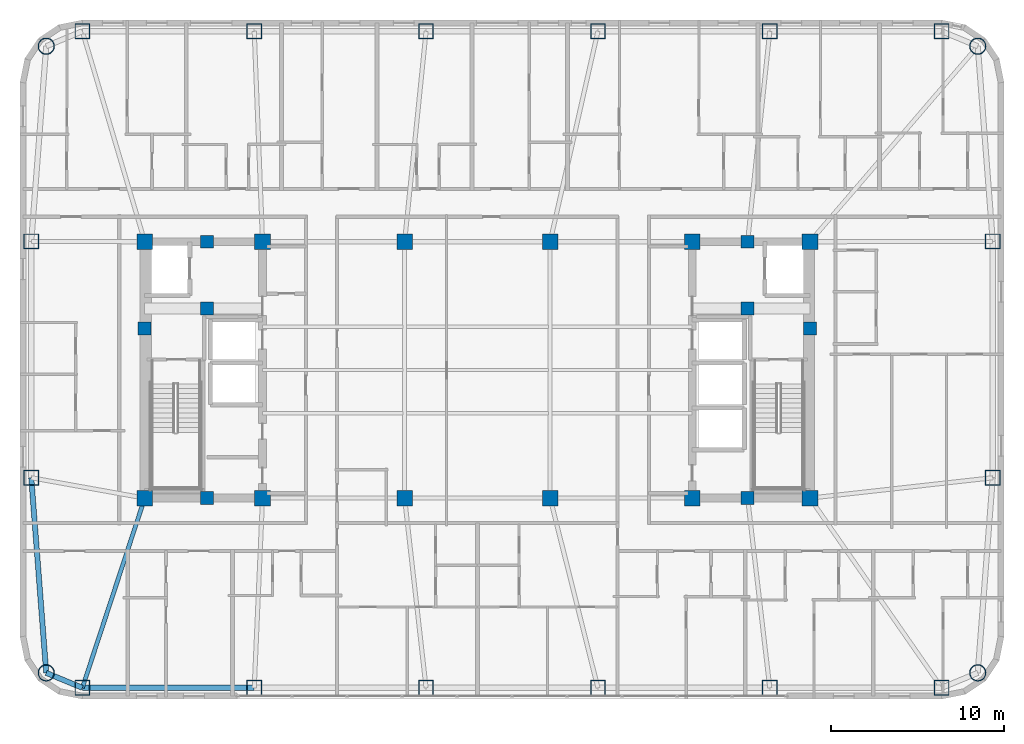
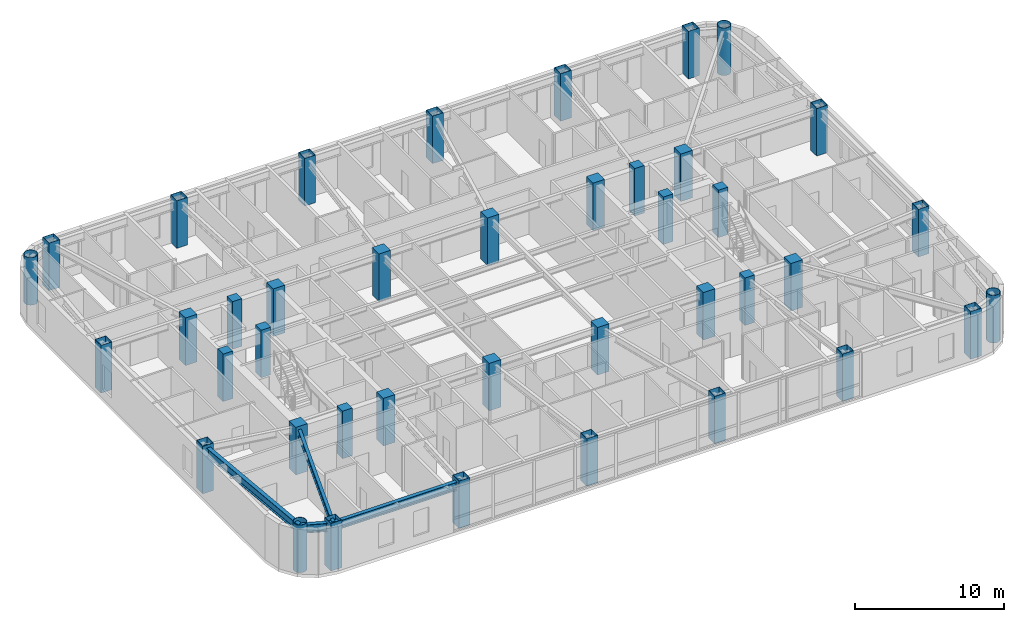
# One storey, part 1 of 17: 40 columns, 4 beams.
"""IFC4 building model written with IfcOpenShell, lengths in metres."""

from ifc_helpers import new_model, si_unit, direction, frame, origin, origin_2d, place, context, subcontext, project, spatial, rectangle, hollow_rectangle, hollow_circle, i_section, extrude, material, material_profile, profile_set, type_object, element, save


model = new_model("IFC4")

# Units and contexts
model_context = context("Model", 3, precision=1e-05, world=origin(), true_north=direction((0.0, 1.0)))
body_context = subcontext(model_context, "Body", "Model", "MODEL_VIEW")
ifc_project = project(units=[si_unit("LENGTHUNIT", "METRE"), si_unit("AREAUNIT", "SQUARE_METRE"), si_unit("VOLUMEUNIT", "CUBIC_METRE"), si_unit("PLANEANGLEUNIT", "RADIAN"), si_unit("MASSUNIT", "GRAM", prefix="KILO")], contexts=[model_context])

# Site, building, storey
site_placement = place(None, origin())
site = spatial("IfcSite", under=ifc_project, at=site_placement, CompositionType="ELEMENT")
building_placement = place(site_placement, origin())
building = spatial("IfcBuilding", under=site, at=building_placement, Name="Voryun Gate Residences", CompositionType="ELEMENT")
storey_placement = place(building_placement, frame((0.0, 0.0, 204.10009765625)))
storey = spatial("IfcBuildingStorey", under=building, at=storey_placement, Name="L50", CompositionType="ELEMENT", Elevation=204.10009765625)

# Columns
ifc_material_1 = material(Name="Concrete C50/60", Category="concrete")
ifc_material_profile_1 = material_profile(ifc_material_1, rectangle(XDim=0.75, YDim=0.75, at=origin_2d()), Name="RC-750x750")
ifc_profile_set_1 = profile_set([ifc_material_profile_1], Name="Concrete C50/60")
column_type_1 = type_object("IfcColumnType", Name="COL_CORE_750", PredefinedType="COLUMN", material=ifc_profile_set_1)
for number, where, z_axis, x_axis, name in (
    (1, (-19.199951171875, 2.39990234375, 0.0), (0.0, 0.0, 1.0), (1.0, 0.0, 0.0), "L50 Core boundary column WC-MW"),
    (2, (-15.60009765625, -7.39990234375, 0.0), (0.0, 0.0, 1.0), (1.0, 0.0, 0.0), "L50 Core boundary column WC-SM"),
    (3, (-15.60009765625, 7.39990234375, 0.0), (0.0, 0.0, 1.0), (1.0, 0.0, 0.0), "L50 Core boundary column WC-NM"),
    (4, (-15.60009765625, 3.550048828125, 0.0), (0.0, 0.0, 1.0), (1.0, 0.0, 0.0), "L50 Core boundary column WC-MM"),
    (5, (15.60009765625, 3.550048828125, 0.0), (0.0, 0.0, 1.0), (1.0, 0.0, 0.0), "L50 Core boundary column EC-MM"),
    (6, (15.60009765625, -7.39990234375, 0.0), (0.0, 0.0, 1.0), (1.0, 0.0, 0.0), "L50 Core boundary column EC-SM"),
    (7, (15.60009765625, 7.39990234375, 0.0), (0.0, 0.0, 1.0), (1.0, 0.0, 0.0), "L50 Core boundary column EC-NM"),
    (8, (19.199951171875, 2.39990234375, 0.0), (0.0, 0.0, 1.0), (1.0, 0.0, 0.0), "L50 Core boundary column EC-ME"),
):
    element("IfcColumn", number, at=place(storey_placement, frame(where, z_axis=z_axis, x_axis=x_axis)), inside=storey, type_object=column_type_1, Name=name, PredefinedType="COLUMN", context=body_context, shape_type="SweptSolid", body=[
        extrude(rectangle(XDim=0.75, YDim=0.75, at=origin_2d()), origin(), (0.0, 0.0, 1.0), 3.89990234375),
    ])
ifc_material_2 = material(Name="Concrete C50/60", Category="concrete")
ifc_material_profile_2 = material_profile(ifc_material_2, rectangle(XDim=0.89990234375, YDim=0.89990234375, at=origin_2d()), Name="RC-900x900")
ifc_profile_set_2 = profile_set([ifc_material_profile_2], Name="Concrete C50/60")
column_type_2 = type_object("IfcColumnType", Name="COL_CORE_900", PredefinedType="COLUMN", material=ifc_profile_set_2)
for number, where, z_axis, x_axis, name in (
    (9, (-19.199951171875, -7.39990234375, 0.0), (0.0, 0.0, 1.0), (1.0, 0.0, 0.0), "L50 Core boundary column WC-SW"),
    (10, (-19.199951171875, 7.39990234375, 0.0), (0.0, 0.0, 1.0), (1.0, 0.0, 0.0), "L50 Core boundary column WC-NW"),
    (11, (-12.39990234375, -7.39990234375, 0.0), (0.0, 0.0, 1.0), (1.0, 0.0, 0.0), "L50 Core boundary column WC-SE"),
    (12, (-12.39990234375, 7.39990234375, 0.0), (0.0, 0.0, 1.0), (1.0, 0.0, 0.0), "L50 Core boundary column WC-NE"),
    (13, (12.39990234375, -7.39990234375, 0.0), (0.0, 0.0, 1.0), (1.0, 0.0, 0.0), "L50 Core boundary column EC-SW"),
    (14, (12.39990234375, 7.39990234375, 0.0), (0.0, 0.0, 1.0), (1.0, 0.0, 0.0), "L50 Core boundary column EC-NW"),
    (15, (19.199951171875, -7.39990234375, 0.0), (0.0, 0.0, 1.0), (1.0, 0.0, 0.0), "L50 Core boundary column EC-SE"),
    (16, (19.199951171875, 7.39990234375, 0.0), (0.0, 0.0, 1.0), (1.0, 0.0, 0.0), "L50 Core boundary column EC-NE"),
    (17, (-4.199951171875, -7.39990234375, 0.0), (0.0, 0.0, 1.0), (1.0, 0.0, 0.0), "L50 Interior spine column SP-WS"),
    (18, (-4.199951171875, 7.39990234375, 0.0), (0.0, 0.0, 1.0), (1.0, 0.0, 0.0), "L50 Interior spine column SP-WN"),
    (19, (4.199951171875, -7.39990234375, 0.0), (0.0, 0.0, 1.0), (1.0, 0.0, 0.0), "L50 Interior spine column SP-ES"),
    (20, (4.199951171875, 7.39990234375, 0.0), (0.0, 0.0, 1.0), (1.0, 0.0, 0.0), "L50 Interior spine column SP-EN"),
):
    element("IfcColumn", number, at=place(storey_placement, frame(where, z_axis=z_axis, x_axis=x_axis)), inside=storey, type_object=column_type_2, Name=name, PredefinedType="COLUMN", context=body_context, shape_type="SweptSolid", body=[
        extrude(rectangle(XDim=0.89990234375, YDim=0.89990234375, at=origin_2d()), origin(), (0.0, 0.0, 1.0), 3.89990234375),
    ])
ifc_material_3 = material(Name="Steel SM420", Category="steel")
ifc_material_profile_3 = material_profile(ifc_material_3, hollow_circle(Radius=0.47509765625, WallThickness=0.031982421875, at=origin_2d()), Name="CHS-950x32")
ifc_profile_set_3 = profile_set([ifc_material_profile_3], Name="Steel SM420")
column_type_3 = type_object("IfcColumnType", Name="COL_CRN_950", PredefinedType="COLUMN", material=ifc_profile_set_3)
for number, where, z_axis, x_axis, name in (
    (21, (28.885986328125, -17.486083984375, 0.0), (0.0, 0.0, 1.0), (1.0, 0.0, 0.0), "L50 Exoskeleton column CSE"),
    (22, (28.885986328125, 18.68603515625, 0.0), (0.0, 0.0, 1.0), (1.0, 0.0, 0.0), "L50 Exoskeleton column CNE"),
    (23, (-24.885986328125, 18.68603515625, 0.0), (0.0, 0.0, 1.0), (1.0, 0.0, 0.0), "L50 Exoskeleton column CNW"),
    (24, (-24.885986328125, -17.486083984375, 0.0), (0.0, 0.0, 1.0), (1.0, 0.0, 0.0), "L50 Exoskeleton column CSW"),
):
    element("IfcColumn", number, at=place(storey_placement, frame(where, z_axis=z_axis, x_axis=x_axis)), inside=storey, type_object=column_type_3, Name=name, PredefinedType="COLUMN", context=body_context, shape_type="SweptSolid", body=[
        extrude(hollow_circle(Radius=0.47509765625, WallThickness=0.031982421875, at=origin_2d()), origin(), (0.0, 0.0, 1.0), 3.89990234375),
    ])
ifc_material_4 = material(Name="Steel SM355", Category="steel")
ifc_material_profile_4 = material_profile(ifc_material_4, hollow_rectangle(XDim=0.85009765625, YDim=0.85009765625, WallThickness=0.028076171875, at=origin_2d()), Name="BOX-850x850x28")
ifc_profile_set_4 = profile_set([ifc_material_profile_4], Name="Steel SM355")
column_type_4 = type_object("IfcColumnType", Name="COL_EXO_B4", PredefinedType="COLUMN", material=ifc_profile_set_4)
for number, where, z_axis, x_axis, name in (
    (25, (-22.800048828125, -18.35009765625, 0.0), (0.0, 0.0, 1.0), (1.0, 0.0, 0.0), "L50 Exoskeleton column S1"),
    (26, (-12.8798828125, -18.35009765625, 0.0), (0.0, 0.0, 1.0), (1.0, 0.0, 0.0), "L50 Exoskeleton column S2"),
    (27, (-2.9599609375, -18.35009765625, 0.0), (0.0, 0.0, 1.0), (1.0, 0.0, 0.0), "L50 Exoskeleton column S3"),
    (28, (6.9599609375, -18.35009765625, 0.0), (0.0, 0.0, 1.0), (1.0, 0.0, 0.0), "L50 Exoskeleton column S4"),
    (29, (16.8798828125, -18.35009765625, 0.0), (0.0, 0.0, 1.0), (1.0, 0.0, 0.0), "L50 Exoskeleton column S5"),
    (30, (26.800048828125, -18.35009765625, 0.0), (0.0, 0.0, 1.0), (1.0, 0.0, 0.0), "L50 Exoskeleton column S6"),
    (31, (29.75, -6.221923828125, 0.0), (0.0, 0.0, 1.0), (1.0, 0.0, 0.0), "L50 Exoskeleton column E1"),
    (32, (29.75, 7.422119140625, 0.0), (0.0, 0.0, 1.0), (1.0, 0.0, 0.0), "L50 Exoskeleton column E2"),
    (33, (26.800048828125, 19.550048828125, 0.0), (0.0, 0.0, 1.0), (1.0, 0.0, 0.0), "L50 Exoskeleton column N1"),
    (34, (16.8798828125, 19.550048828125, 0.0), (0.0, 0.0, 1.0), (1.0, 0.0, 0.0), "L50 Exoskeleton column N2"),
    (35, (6.9599609375, 19.550048828125, 0.0), (0.0, 0.0, 1.0), (1.0, 0.0, 0.0), "L50 Exoskeleton column N3"),
    (36, (-2.9599609375, 19.550048828125, 0.0), (0.0, 0.0, 1.0), (1.0, 0.0, 0.0), "L50 Exoskeleton column N4"),
    (37, (-12.8798828125, 19.550048828125, 0.0), (0.0, 0.0, 1.0), (1.0, 0.0, 0.0), "L50 Exoskeleton column N5"),
    (38, (-22.800048828125, 19.550048828125, 0.0), (0.0, 0.0, 1.0), (1.0, 0.0, 0.0), "L50 Exoskeleton column N6"),
    (39, (-25.75, 7.422119140625, 0.0), (0.0, 0.0, 1.0), (1.0, 0.0, 0.0), "L50 Exoskeleton column W1"),
    (40, (-25.75, -6.221923828125, 0.0), (0.0, 0.0, 1.0), (1.0, 0.0, 0.0), "L50 Exoskeleton column W2"),
):
    element("IfcColumn", number, at=place(storey_placement, frame(where, z_axis=z_axis, x_axis=x_axis)), inside=storey, type_object=column_type_4, Name=name, PredefinedType="COLUMN", context=body_context, shape_type="SweptSolid", body=[
        extrude(hollow_rectangle(XDim=0.85009765625, YDim=0.85009765625, WallThickness=0.028076171875, at=origin_2d()), origin(), (0.0, 0.0, 1.0), 3.89990234375),
    ])

# Beams
ifc_material_5 = material(Name="Steel SM355", Category="steel")
ifc_material_profile_5 = material_profile(ifc_material_5, i_section(OverallWidth=0.300048828125, OverallDepth=0.679931640625, WebThickness=0.013916015625, FlangeThickness=0.02490234375, FilletRadius=0.01806640625, at=origin_2d()), Name="H-680x300x14x25")
ifc_profile_set_5 = profile_set([ifc_material_profile_5], Name="Steel SM355")
beam_type_1 = type_object("IfcBeamType", Name="BM_EXO_SPANDREL_M", PredefinedType="SPANDREL", material=ifc_profile_set_5)
beam_1_placement = place(storey_placement, frame((-22.800048828125, -18.35009765625, 3.309814453125), z_axis=(1.0, 0.0, 0.0), x_axis=(0.0, 1.0, 0.0)))
element("IfcBeam", 41, at=beam_1_placement, inside=storey, type_object=beam_type_1, Name="BM-L50-SPAND-01", PredefinedType="SPANDREL", context=body_context, shape_type="SweptSolid", body=[
    extrude(i_section(OverallWidth=0.300048828125, OverallDepth=0.679931640625, WebThickness=0.013916015625, FlangeThickness=0.02490234375, FilletRadius=0.01806640625, at=origin_2d()), origin(), (0.0, 0.0, 1.0), 9.920166015625),
])
beam_2_placement = place(storey_placement, frame((-25.75, -6.221923828125, 3.309814453125), z_axis=(0.076480009441, -0.997071114894, 0.0), x_axis=(0.997071114894, 0.076480009441, 0.0)))
element("IfcBeam", 42, at=beam_2_placement, inside=storey, type_object=beam_type_1, Name="BM-L50-SPAND-19", PredefinedType="SPANDREL", context=body_context, shape_type="SweptSolid", body=[
    extrude(i_section(OverallWidth=0.300048828125, OverallDepth=0.679931640625, WebThickness=0.013916015625, FlangeThickness=0.02490234375, FilletRadius=0.01806640625, at=origin_2d()), origin(), (0.0, 0.0, 1.0), 11.29736328125),
])
beam_3_placement = place(storey_placement, frame((-24.885986328125, -17.486083984375, 3.309814453125), z_axis=(0.923881087602, -0.382679678022, 0.0), x_axis=(0.382679678022, 0.923881087602, 0.0)))
element("IfcBeam", 43, at=beam_3_placement, inside=storey, type_object=beam_type_1, Name="BM-L50-SPAND-20", PredefinedType="SPANDREL", context=body_context, shape_type="SweptSolid", body=[
    extrude(i_section(OverallWidth=0.300048828125, OverallDepth=0.679931640625, WebThickness=0.013916015625, FlangeThickness=0.02490234375, FilletRadius=0.01806640625, at=origin_2d()), origin(), (0.0, 0.0, 1.0), 2.2578125),
])
ifc_material_6 = material(Name="Steel SM355", Category="steel")
ifc_material_profile_6 = material_profile(ifc_material_6, i_section(OverallWidth=0.239990234375, OverallDepth=0.550048828125, WebThickness=0.011962890625, FlangeThickness=0.02001953125, FilletRadius=0.01806640625, at=origin_2d()), Name="H-550x240x12x20")
ifc_profile_set_6 = profile_set([ifc_material_profile_6], Name="Steel SM355")
beam_type_2 = type_object("IfcBeamType", Name="BM_GIRD_550", PredefinedType="USERDEFINED", material=ifc_profile_set_6)
beam_4_placement = place(storey_placement, frame((-19.199951171875, -7.39990234375, 3.375), z_axis=(-0.312323693326, -0.949975742104, 0.0), x_axis=(0.949975742104, -0.312323693326, 0.0)))
element("IfcBeam", 44, at=beam_4_placement, inside=storey, type_object=beam_type_2, Name="BM-L50-RAD-S1", ObjectType="GIRDER", PredefinedType="USERDEFINED", context=body_context, shape_type="SweptSolid", body=[
    extrude(i_section(OverallWidth=0.239990234375, OverallDepth=0.550048828125, WebThickness=0.011962890625, FlangeThickness=0.02001953125, FilletRadius=0.01806640625, at=origin_2d()), origin(), (0.0, 0.0, 1.0), 11.52685546875),
])

save(model, "model.ifc")
